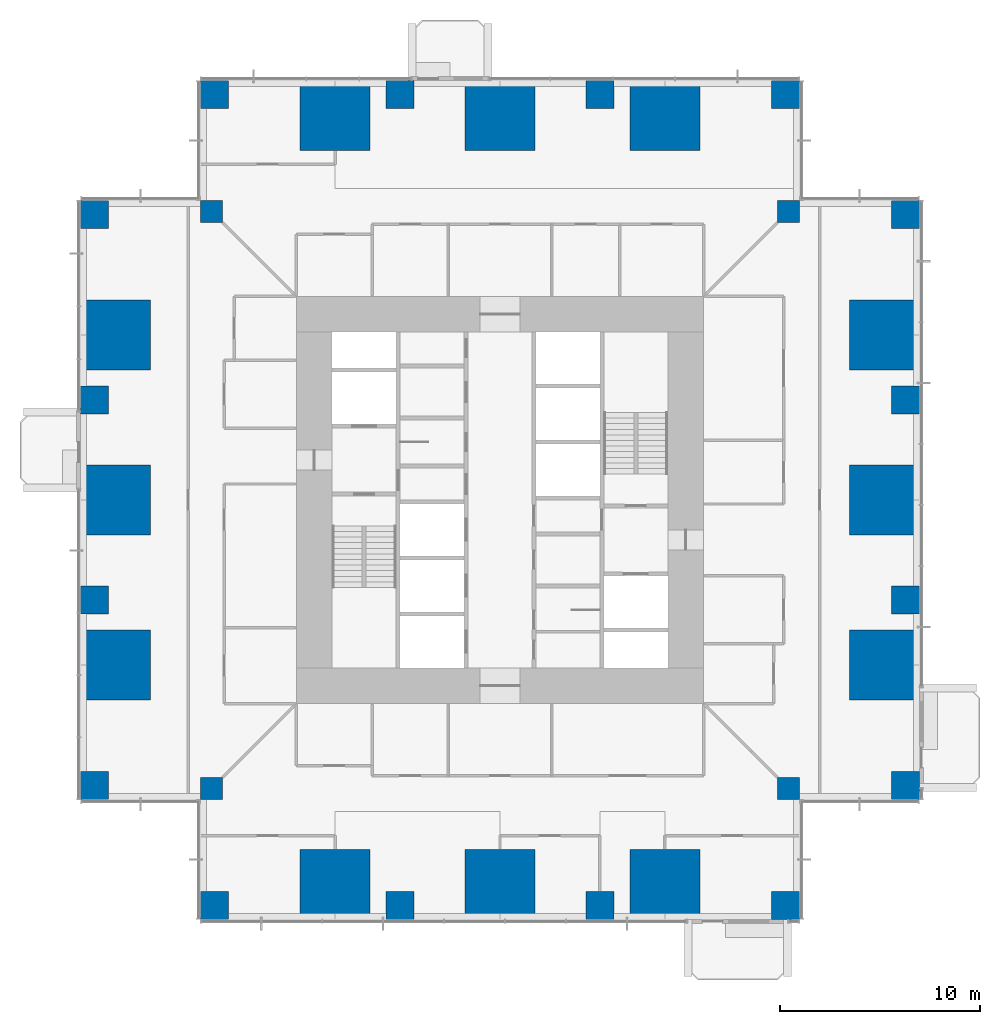
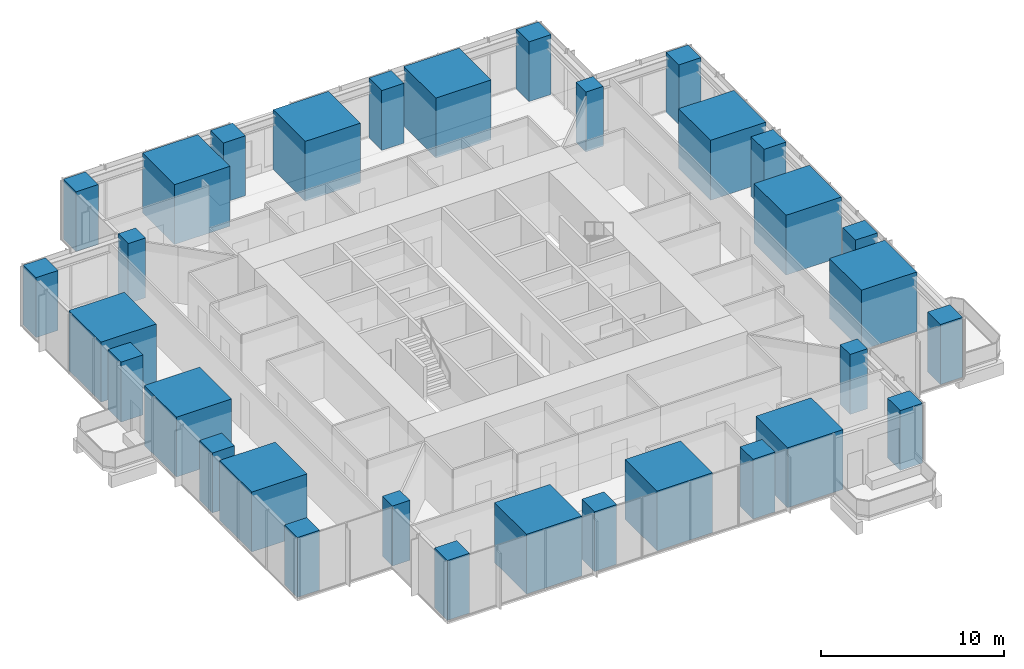
# One storey, part 1 of 15: 32 columns.
"""IFC4 building model written with IfcOpenShell, lengths in metres."""

import ifcopenshell
import ifcopenshell.guid

model = None  # the IFC model being written
_history = None  # IfcOwnerHistory: only IFC2X3 demands one
_inside = {}  # id of a spatial element -> (the spatial element, [elements in it])
_under = {}  # id of a project, library or spatial element -> (it, [spatial elements below it])
_declared = {}  # id of a project -> (the project, [libraries it declares])
_typed = {}  # id of a type object -> (the type object, [elements of that type])
_made_of = {}  # id of a material, layer set ... -> (it, [elements and type objects made of it])


def new_model(schema):
    """Start an empty IFC model of exactly this schema.

    Asked for "IFC4X3", IfcOpenShell would pick the latest addendum, in which some entities
    have other attributes; the version numbers below select the first issue.
    IFC2X3 requires an IfcOwnerHistory on every rooted entity: one is made here for all.
    """
    global model, _history
    if schema == "IFC4X3":
        model = ifcopenshell.file(schema_version=(4, 3, 0, 0))
    else:
        model = ifcopenshell.file(schema=schema)
    _inside.clear()
    _under.clear()
    _declared.clear()
    _typed.clear()
    _made_of.clear()
    _history = None
    if model.schema == "IFC2X3":
        org = make("IfcOrganization", Name="unknown")
        user = make(
            "IfcPersonAndOrganization",
            ThePerson=make("IfcPerson", FamilyName="unknown"),
            TheOrganization=org,
        )
        app = make(
            "IfcApplication",
            ApplicationDeveloper=org,
            Version="unknown",
            ApplicationFullName="unknown",
            ApplicationIdentifier="unknown",
        )
        _history = make(
            "IfcOwnerHistory",
            OwningUser=user,
            OwningApplication=app,
            ChangeAction="ADDED",
            CreationDate=0,
        )
    return model


def make(cls, **values):
    """One entity of the class cls with the attributes given. An attribute that is None is left unset."""
    return model.create_entity(
        cls, **{name: value for name, value in values.items() if value is not None}
    )


def rooted(cls, **values):
    """An entity with a GlobalId (a new one), such as an element, a storey or a relation."""
    return make(cls, GlobalId=ifcopenshell.guid.new(), OwnerHistory=_history, **values)


def si_unit(unit_type, name, prefix=None):
    """IfcSIUnit, for example si_unit("LENGTHUNIT", "METRE", prefix="MILLI")."""
    return make("IfcSIUnit", UnitType=unit_type, Prefix=prefix, Name=name)


def assignment(units):
    """IfcUnitAssignment: the units of a project."""
    return None if units is None else make("IfcUnitAssignment", Units=units)


def point(xyz):
    """IfcCartesianPoint."""
    return None if xyz is None else make("IfcCartesianPoint", Coordinates=xyz)


def direction(xyz):
    """IfcDirection."""
    return None if xyz is None else make("IfcDirection", DirectionRatios=xyz)


def frame(location, z_axis=None, x_axis=None):
    """IfcAxis2Placement3D, a coordinate frame: its origin and axes. An axis left out is left unset."""
    return make(
        "IfcAxis2Placement3D",
        Location=point(location),
        Axis=direction(z_axis),
        RefDirection=direction(x_axis),
    )


def frame_2d(location, x_axis=None):
    """IfcAxis2Placement2D, a coordinate frame in the plane: its origin and x axis."""
    return make(
        "IfcAxis2Placement2D", Location=point(location), RefDirection=direction(x_axis)
    )


def origin():
    """The frame at (0, 0, 0) with its axes left unset."""
    return frame((0.0, 0.0, 0.0))


def origin_2d():
    """The frame at (0, 0) in the plane with its x axis left unset."""
    return frame_2d((0.0, 0.0))


def place(relative_to, where):
    """IfcLocalPlacement: puts the frame where relative to a parent placement (None: the world)."""
    return make(
        "IfcLocalPlacement", PlacementRelTo=relative_to, RelativePlacement=where
    )


def context(
    kind, dimensions, precision=None, world=None, true_north=None, identifier=None
):
    """IfcGeometricRepresentationContext, for example the 3D "Model" context."""
    return make(
        "IfcGeometricRepresentationContext",
        ContextIdentifier=identifier,
        ContextType=kind,
        CoordinateSpaceDimension=dimensions,
        Precision=precision,
        WorldCoordinateSystem=world,
        TrueNorth=true_north,
    )


def subcontext(parent, identifier, kind, view, scale=None):
    """IfcGeometricRepresentationSubContext, for example "Body" below "Model"."""
    return make(
        "IfcGeometricRepresentationSubContext",
        ContextIdentifier=identifier,
        ContextType=kind,
        ParentContext=parent,
        TargetScale=scale,
        TargetView=view,
    )


def project(units=None, contexts=None):
    """IfcProject with its units and contexts."""
    return rooted(
        "IfcProject",
        Name="project",
        RepresentationContexts=contexts,
        UnitsInContext=assignment(units),
    )


def spatial(cls, under=None, at=None, **own):
    """A site, building, storey or space (cls), placed at a placement, below another one or the project."""
    s = rooted(cls, ObjectPlacement=at, **own)
    if under is not None:
        _under.setdefault(under.id(), (under, []))[1].append(s)
    return s


def profile(cls, at=None, kind="AREA", **sizes):
    """A parametric profile (cls). Its sizes go by their IFC names, for example OverallWidth=200.0."""
    return make(cls, ProfileType=kind, Position=at, **sizes)


def rectangle(**sizes):
    """IfcRectangleProfileDef."""
    return profile("IfcRectangleProfileDef", **sizes)


def extrude(swept, where, along, depth):
    """IfcExtrudedAreaSolid: the profile swept, set in the frame where, extruded along a direction by depth."""
    return make(
        "IfcExtrudedAreaSolid",
        SweptArea=swept,
        Position=where,
        ExtrudedDirection=direction(along),
        Depth=depth,
    )


def shape(context_of_items, identifier, shape_type, items):
    """IfcShapeRepresentation: the items that make up one representation, for example the "Body"."""
    return make(
        "IfcShapeRepresentation",
        ContextOfItems=context_of_items,
        RepresentationIdentifier=identifier,
        RepresentationType=shape_type,
        Items=items,
    )


def material(Name=None, Category=None):
    """IfcMaterial."""
    return make("IfcMaterial", Name=Name, Category=Category)


def material_profile(
    of_material, cross_section, Name=None, Category=None, Priority=None
):
    """IfcMaterialProfile: a cross section and its material."""
    return make(
        "IfcMaterialProfile",
        Name=Name,
        Material=of_material,
        Profile=cross_section,
        Priority=Priority,
        Category=Category,
    )


def profile_set(profiles, Name=None, composite=None):
    """IfcMaterialProfileSet."""
    return make(
        "IfcMaterialProfileSet",
        Name=Name,
        MaterialProfiles=profiles,
        CompositeProfile=composite,
    )


def made_of(thing, what):
    """Note that an element or type object is made of a material, layer set ...; save() writes the relation."""
    if what is not None:
        _made_of.setdefault(what.id(), (what, []))[1].append(thing)
    return thing


def type_object(cls, material=None, **own):
    """A type object (cls), such as IfcWallType, which elements share."""
    return made_of(rooted(cls, **own), material)


def element(
    cls,
    number,
    at=None,
    inside=None,
    cuts=None,
    type_object=None,
    material=None,
    context=None,
    identifier="Body",
    shape_type=None,
    held_by="IfcProductDefinitionShape",
    body=None,
    shapes=None,
    **own,
):
    """One element of the class cls, such as IfcWall. Its Tag is "e" and its number.

    at: its placement. inside: the storey or other place that contains it. cuts: it is an
    opening in that element (IfcRelVoidsElement). A single representation is given by context,
    identifier, shape_type and body (its items); several are given by shapes. held_by: the class
    of the entity that holds the representations. save() writes the other relations.
    """
    e = rooted(cls, Tag="e%d" % number, ObjectPlacement=at, **own)
    if body is not None:
        shapes = [shape(context, identifier, shape_type, body)]
    if shapes is not None:
        e.Representation = make(held_by, Representations=shapes)
    if inside is not None:
        _inside.setdefault(inside.id(), (inside, []))[1].append(e)
    if cuts is not None:
        rooted(
            "IfcRelVoidsElement", RelatingBuildingElement=cuts, RelatedOpeningElement=e
        )
    if type_object is not None:
        _typed.setdefault(type_object.id(), (type_object, []))[1].append(e)
    return made_of(e, material)


def aggregate(whole, parts):
    """IfcRelAggregates: a whole, such as a stair, and the parts it consists of."""
    return rooted("IfcRelAggregates", RelatingObject=whole, RelatedObjects=parts)


def save(model, path):
    """Write the relations noted so far, then the file.

    IfcRelAggregates (storeys below a building ...), IfcRelContainedInSpatialStructure (elements
    in a storey), IfcRelDefinesByType, IfcRelAssociatesMaterial and IfcRelDeclares: one each for
    every whole, place, type object, material and project.
    """
    for whole, parts in _under.values():
        aggregate(whole, parts)
    for where, things in _inside.values():
        rooted(
            "IfcRelContainedInSpatialStructure",
            RelatedElements=things,
            RelatingStructure=where,
        )
    for kind, things in _typed.values():
        rooted("IfcRelDefinesByType", RelatedObjects=things, RelatingType=kind)
    for what, things in _made_of.values():
        rooted("IfcRelAssociatesMaterial", RelatedObjects=things, RelatingMaterial=what)
    for by, libraries in _declared.values():
        rooted("IfcRelDeclares", RelatingContext=by, RelatedDefinitions=libraries)
    model.write(path)


model = new_model("IFC4")

# Units and contexts
model_context = context("Model", 3, precision=1e-05, world=origin(), true_north=direction((0.0, 1.0)))
body_context = subcontext(model_context, "Body", "Model", "MODEL_VIEW")
ifc_project = project(units=[si_unit("LENGTHUNIT", "METRE"), si_unit("AREAUNIT", "SQUARE_METRE"), si_unit("VOLUMEUNIT", "CUBIC_METRE"), si_unit("PLANEANGLEUNIT", "RADIAN"), si_unit("MASSUNIT", "GRAM", prefix="KILO")], contexts=[model_context])

# Site, building, storey
site_placement = place(None, origin())
site = spatial("IfcSite", under=ifc_project, at=site_placement, CompositionType="ELEMENT")
building_placement = place(site_placement, origin())
building = spatial("IfcBuilding", under=site, at=building_placement, Name="Svetlomir Tower", CompositionType="ELEMENT")
storey_placement = place(building_placement, frame((0.0, 0.0, 26.5)))
storey = spatial("IfcBuildingStorey", under=building, at=storey_placement, Name="L05", CompositionType="ELEMENT", Elevation=26.5)

# Columns
ifc_material_1 = material(Name="Concrete C60/75", Category="concrete")
ifc_material_profile_1 = material_profile(ifc_material_1, rectangle(XDim=1.10009765625, YDim=1.10009765625, at=origin_2d()), Name="RC 1100x1100")
ifc_profile_set_1 = profile_set([ifc_material_profile_1], Name="Concrete C60/75")
column_type_1 = type_object("IfcColumnType", Name="COLUMN RC 1100x1100", PredefinedType="COLUMN", material=ifc_profile_set_1)
for number, where, z_axis, x_axis, name in (
    (1, (6.550048828125, 6.550048828125, 0.0), (0.0, 0.0, 1.0), (1.0, 0.0, 0.0), "Column 6/6 L05"),
    (2, (35.449951171875, 6.550048828125, 0.0), (0.0, 0.0, 1.0), (1.0, 0.0, 0.0), "Column 36/6 L05"),
    (3, (6.550048828125, 35.449951171875, 0.0), (0.0, 0.0, 1.0), (1.0, 0.0, 0.0), "Column 6/36 L05"),
    (4, (35.449951171875, 35.449951171875, 0.0), (0.0, 0.0, 1.0), (1.0, 0.0, 0.0), "Column 36/36 L05"),
):
    element("IfcColumn", number, at=place(storey_placement, frame(where, z_axis=z_axis, x_axis=x_axis)), inside=storey, type_object=column_type_1, Name=name, PredefinedType="COLUMN", context=body_context, shape_type="SweptSolid", body=[
        extrude(rectangle(XDim=1.10009765625, YDim=1.10009765625, at=origin_2d()), origin(), (0.0, 0.0, 1.0), 4.0),
    ])
ifc_material_2 = material(Name="Concrete C60/75", Category="concrete")
ifc_material_profile_2 = material_profile(ifc_material_2, rectangle(XDim=1.39990234375, YDim=1.39990234375, at=origin_2d()), Name="RC 1400x1400")
ifc_profile_set_2 = profile_set([ifc_material_profile_2], Name="Concrete C60/75")
column_type_2 = type_object("IfcColumnType", Name="COLUMN RC 1400x1400", PredefinedType="COLUMN", material=ifc_profile_set_2)
for number, where, z_axis, x_axis, name in (
    (5, (6.699951171875, 0.699951171875, 0.0), (0.0, 0.0, 1.0), (1.0, 0.0, 0.0), "Column 6/0 L05"),
    (6, (16.0, 0.699951171875, 0.0), (0.0, 0.0, 1.0), (1.0, 0.0, 0.0), "Column 16/0 L05"),
    (7, (26.0, 0.699951171875, 0.0), (0.0, 0.0, 1.0), (1.0, 0.0, 0.0), "Column 26/0 L05"),
    (8, (35.300048828125, 0.699951171875, 0.0), (0.0, 0.0, 1.0), (1.0, 0.0, 0.0), "Column 36/0 L05"),
    (9, (0.699951171875, 6.699951171875, 0.0), (0.0, 0.0, 1.0), (1.0, 0.0, 0.0), "Column 0/6 L05"),
    (10, (41.300048828125, 6.699951171875, 0.0), (0.0, 0.0, 1.0), (1.0, 0.0, 0.0), "Column 42/6 L05"),
    (11, (0.699951171875, 16.0, 0.0), (0.0, 0.0, 1.0), (1.0, 0.0, 0.0), "Column 0/16 L05"),
    (12, (41.300048828125, 16.0, 0.0), (0.0, 0.0, 1.0), (1.0, 0.0, 0.0), "Column 42/16 L05"),
    (13, (0.699951171875, 26.0, 0.0), (0.0, 0.0, 1.0), (1.0, 0.0, 0.0), "Column 0/26 L05"),
    (14, (41.300048828125, 26.0, 0.0), (0.0, 0.0, 1.0), (1.0, 0.0, 0.0), "Column 42/26 L05"),
    (15, (0.699951171875, 35.300048828125, 0.0), (0.0, 0.0, 1.0), (1.0, 0.0, 0.0), "Column 0/36 L05"),
    (16, (41.300048828125, 35.300048828125, 0.0), (0.0, 0.0, 1.0), (1.0, 0.0, 0.0), "Column 42/36 L05"),
    (17, (6.699951171875, 41.300048828125, 0.0), (0.0, 0.0, 1.0), (1.0, 0.0, 0.0), "Column 6/42 L05"),
    (18, (16.0, 41.300048828125, 0.0), (0.0, 0.0, 1.0), (1.0, 0.0, 0.0), "Column 16/42 L05"),
    (19, (26.0, 41.300048828125, 0.0), (0.0, 0.0, 1.0), (1.0, 0.0, 0.0), "Column 26/42 L05"),
    (20, (35.300048828125, 41.300048828125, 0.0), (0.0, 0.0, 1.0), (1.0, 0.0, 0.0), "Column 36/42 L05"),
):
    element("IfcColumn", number, at=place(storey_placement, frame(where, z_axis=z_axis, x_axis=x_axis)), inside=storey, type_object=column_type_2, Name=name, PredefinedType="COLUMN", context=body_context, shape_type="SweptSolid", body=[
        extrude(rectangle(XDim=1.39990234375, YDim=1.39990234375, at=origin_2d()), origin(), (0.0, 0.0, 1.0), 4.0),
    ])
ifc_material_3 = material(Name="Concrete C60/75", Category="concrete")
ifc_material_profile_3 = material_profile(ifc_material_3, rectangle(XDim=3.5, YDim=3.5, at=origin_2d()), Name="RC 3500x3500")
ifc_profile_set_3 = profile_set([ifc_material_profile_3], Name="Concrete C60/75")
column_type_3 = type_object("IfcColumnType", Name="COLUMN RC 3500x3500", PredefinedType="COLUMN", material=ifc_profile_set_3)
for number, where, z_axis, x_axis, name in (
    (21, (12.75, 1.75, 0.0), (0.0, 0.0, 1.0), (1.0, 0.0, 0.0), "Column 11/0 L05"),
    (22, (21.0, 1.75, 0.0), (0.0, 0.0, 1.0), (1.0, 0.0, 0.0), "Column 21/0 L05"),
    (23, (29.25, 1.75, 0.0), (0.0, 0.0, 1.0), (1.0, 0.0, 0.0), "Column 31/0 L05"),
    (24, (1.75, 12.75, 0.0), (0.0, 0.0, 1.0), (1.0, 0.0, 0.0), "Column 0/11 L05"),
    (25, (40.25, 12.75, 0.0), (0.0, 0.0, 1.0), (1.0, 0.0, 0.0), "Column 42/11 L05"),
    (26, (1.75, 21.0, 0.0), (0.0, 0.0, 1.0), (1.0, 0.0, 0.0), "Column 0/21 L05"),
    (27, (40.25, 21.0, 0.0), (0.0, 0.0, 1.0), (1.0, 0.0, 0.0), "Column 42/21 L05"),
    (28, (1.75, 29.25, 0.0), (0.0, 0.0, 1.0), (1.0, 0.0, 0.0), "Column 0/31 L05"),
    (29, (40.25, 29.25, 0.0), (0.0, 0.0, 1.0), (1.0, 0.0, 0.0), "Column 42/31 L05"),
    (30, (12.75, 40.25, 0.0), (0.0, 0.0, 1.0), (1.0, 0.0, 0.0), "Column 11/42 L05"),
    (31, (21.0, 40.25, 0.0), (0.0, 0.0, 1.0), (1.0, 0.0, 0.0), "Column 21/42 L05"),
    (32, (29.25, 40.25, 0.0), (0.0, 0.0, 1.0), (1.0, 0.0, 0.0), "Column 31/42 L05"),
):
    element("IfcColumn", number, at=place(storey_placement, frame(where, z_axis=z_axis, x_axis=x_axis)), inside=storey, type_object=column_type_3, Name=name, PredefinedType="COLUMN", context=body_context, shape_type="SweptSolid", body=[
        extrude(rectangle(XDim=3.5, YDim=3.5, at=origin_2d()), origin(), (0.0, 0.0, 1.0), 4.0),
    ])

save(model, "model.ifc")
